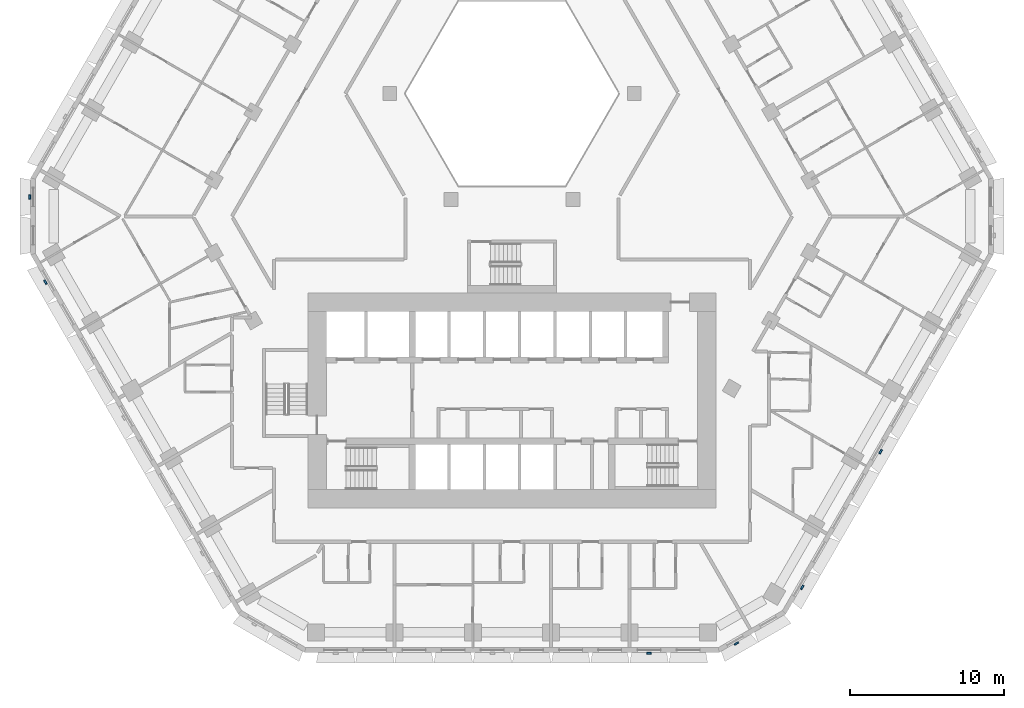
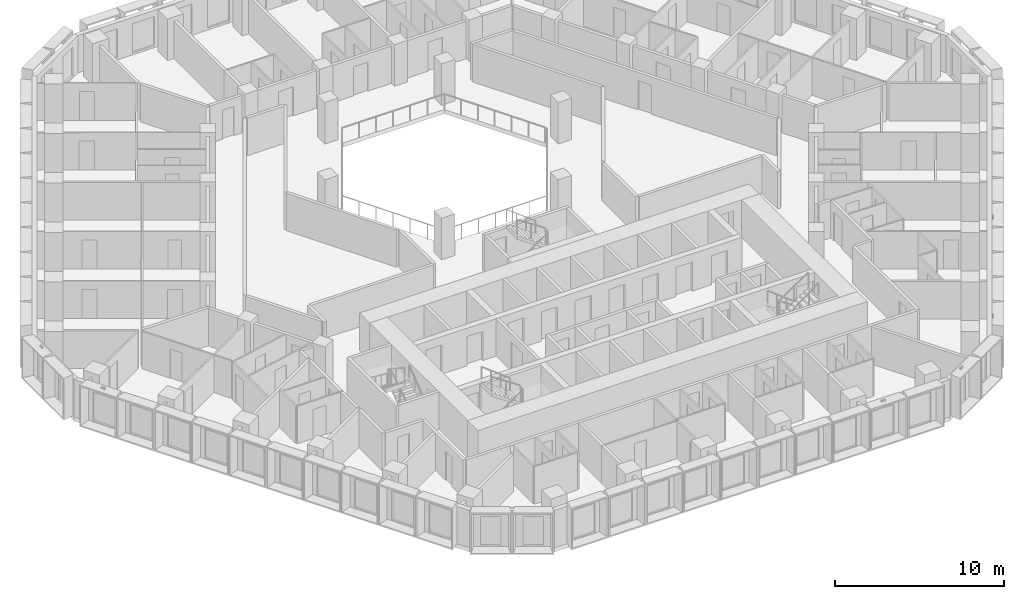
# One storey, part 13 of 21: 6 discrete accessories.
"""IFC4 building model written with IfcOpenShell, lengths in metres."""

from ifc_helpers import new_model, si_unit, direction, frame, origin, place, context, subcontext, project, spatial, polyline, outline, extrude, source, transform, mapped, material, type_object, type_shapes, element, save


model = new_model("IFC4")

# Units and contexts
model_context = context("Model", 3, precision=1e-05, world=origin(), true_north=direction((0.0, 1.0)))
body_context = subcontext(model_context, "Body", "Model", "MODEL_VIEW")
ifc_project = project(units=[si_unit("LENGTHUNIT", "METRE"), si_unit("AREAUNIT", "SQUARE_METRE"), si_unit("VOLUMEUNIT", "CUBIC_METRE"), si_unit("PLANEANGLEUNIT", "RADIAN"), si_unit("MASSUNIT", "GRAM", prefix="KILO")], contexts=[model_context])

# Site, building, storey
site_placement = place(None, origin())
site = spatial("IfcSite", under=ifc_project, at=site_placement, CompositionType="ELEMENT")
building_placement = place(site_placement, origin())
building = spatial("IfcBuilding", under=site, at=building_placement, Name="Beryl Residences", CompositionType="ELEMENT")
storey_placement = place(building_placement, frame((0.0, 0.0, 35.39990234375)))
storey = spatial("IfcBuildingStorey", under=building, at=storey_placement, Name="L10", CompositionType="ELEMENT", Elevation=35.39990234375)

# Discrete accessories
ifc_material = material(Name="Steel S355", Category="steel")
discrete_accessory_type = type_object("IfcDiscreteAccessoryType", Name="BR1 frame bracket 300 x 120 x 150 mm", PredefinedType="BRACKET", material=ifc_material)
shared_shape = source(origin(), body_context, "Body", "SweptSolid", [
    extrude(outline(polyline([(-0.14990234375, 0.0), (0.14990234375, 0.0), (0.14990234375, 0.1201171875), (-0.14990234375, 0.1201171875), (-0.14990234375, 0.0)])), origin(), (0.0, 0.0, 1.0), 0.14990234375),
])
type_shapes(discrete_accessory_type, [shared_shape])
for number, where, z_axis, x_axis, name in (
    (1, (-31.35009765625, 1.25, 2.75), (0.0, 0.0, 1.0), (0.0, 1.0, 0.0), "BR1 bracket L10 NW-SW 1"),
    (2, (-30.3359375, -4.2548828125, 2.75), (0.0, 0.0, 1.0), (-0.5, 0.866025403784, 0.0), "BR1 bracket L10 SW 1"),
    (3, (8.93310546875, -28.39990234375, 2.75), (0.0, 0.0, 1.0), (-1.0, 0.0, 0.0), "BR1 bracket L10 S 9"),
    (4, (14.593017578125, -27.77490234375, 2.75), (0.0, 0.0, 1.0), (-0.866025403784, -0.5, 0.0), "BR1 bracket L10 S-SE 1"),
    (5, (18.85400390625, -24.14501953125, 2.75), (0.0, 0.0, 1.0), (-0.5, -0.866025403784, 0.0), "BR1 bracket L10 SE 1"),
    (6, (23.9580078125, -15.303955078125, 2.75), (0.0, 0.0, 1.0), (-0.5, -0.866025403784, 0.0), "BR1 bracket L10 SE 5"),
):
    element("IfcDiscreteAccessory", number, at=place(storey_placement, frame(where, z_axis=z_axis, x_axis=x_axis)), inside=storey, type_object=discrete_accessory_type, Name=name, PredefinedType="BRACKET", context=body_context, shape_type="MappedRepresentation", body=[
        mapped(shared_shape, transform((0.0, 0.0, 0.0))),
    ])

save(model, "model.ifc")
